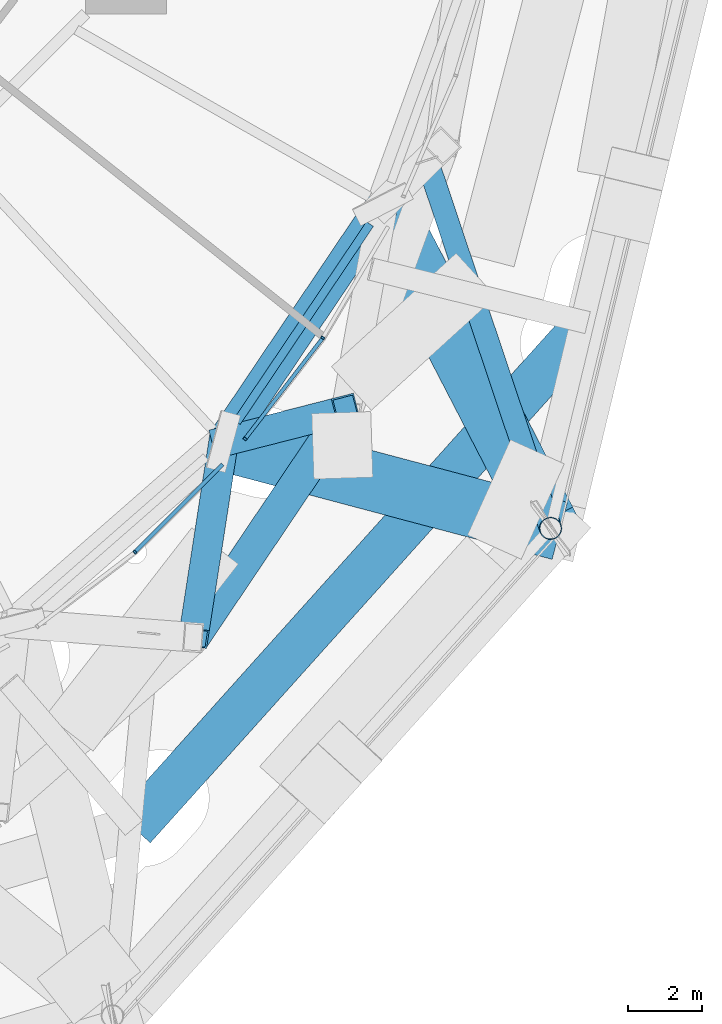
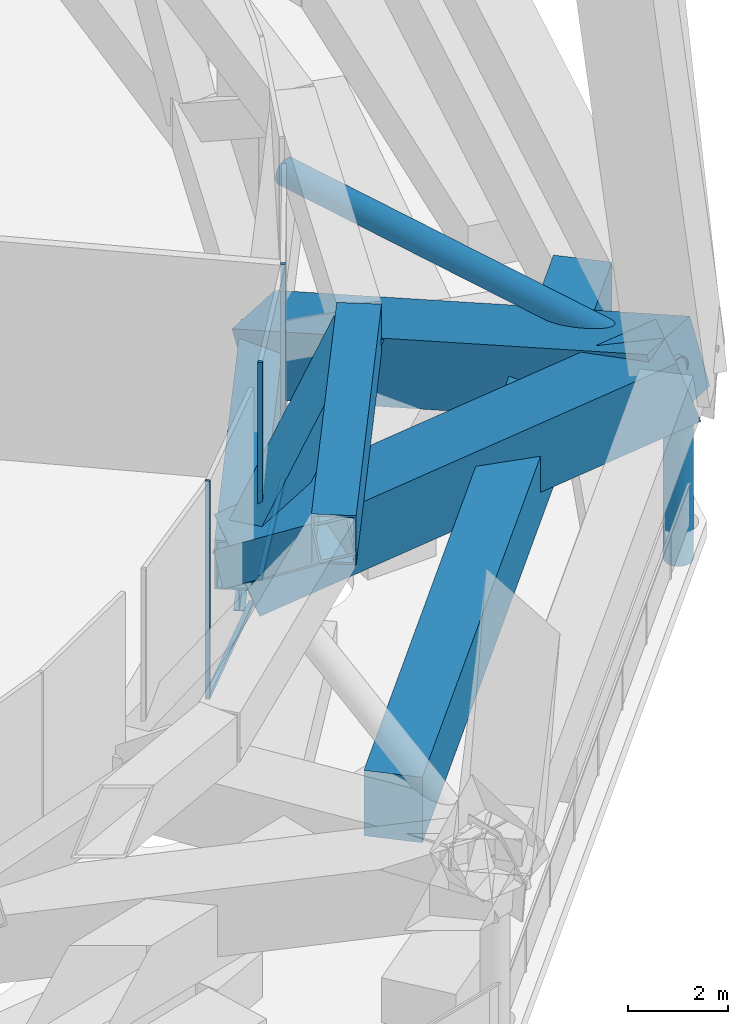
# One storey, part 10 of 65: 10 members, 5 beams, 3 elements without a shape of their own.
"""IFC4 building model written with IfcOpenShell, lengths in metres."""

from ifc_helpers import new_model, si_unit, direction, frame, origin, origin_2d, place, context, subcontext, project, spatial, rectangle, hollow_rectangle, hollow_circle, i_section, extrude, material, layer, layer_set, material_profile, profile_set, type_object, element, aggregate, save


model = new_model("IFC4")

# Units and contexts
model_context = context("Model", 3, precision=1e-05, world=origin(), true_north=direction((0.0, 1.0)))
body_context = subcontext(model_context, "Body", "Model", "MODEL_VIEW")
ifc_project = project(units=[si_unit("LENGTHUNIT", "METRE"), si_unit("AREAUNIT", "SQUARE_METRE"), si_unit("VOLUMEUNIT", "CUBIC_METRE"), si_unit("PLANEANGLEUNIT", "RADIAN"), si_unit("MASSUNIT", "GRAM", prefix="KILO")], contexts=[model_context])

# Site, building, storey
site_placement = place(None, origin())
site = spatial("IfcSite", under=ifc_project, at=site_placement, CompositionType="ELEMENT")
building_placement = place(site_placement, origin())
building = spatial("IfcBuilding", under=site, at=building_placement, Name="Nagisa Residences", CompositionType="ELEMENT")
storey_placement = place(building_placement, frame((0.0, 0.0, 114.0)))
storey = spatial("IfcBuildingStorey", under=building, at=storey_placement, Name="L28", CompositionType="ELEMENT", Elevation=114.0)

# Beams
ifc_material_1 = material(Name="Steel ASTM A572 Gr 50", Category="steel")
ifc_material_profile_1 = material_profile(ifc_material_1, hollow_rectangle(XDim=0.89990234375, YDim=1.199951171875, WallThickness=0.050048828125, at=origin_2d()), Name="BX 900x1200x50")
ifc_profile_set_1 = profile_set([ifc_material_profile_1], Name="Steel ASTM A572 Gr 50")
beam_type_1 = type_object("IfcBeamType", Name="Belt chord 2 BX 900x1200x50", PredefinedType="BEAM", material=ifc_profile_set_1)
beam_1_placement = place(storey_placement, frame((17.4296875, -18.813232421875, 0.60009765625), z_axis=(0.558231952624, 0.829684932411, 0.0), x_axis=(-0.829684932411, 0.558231952624, 0.0)))
element("IfcBeam", 1, at=beam_1_placement, inside=storey, type_object=beam_type_1, Name="beam:L28:bt2b22", PredefinedType="BEAM", context=body_context, shape_type="SweptSolid", body=[
    extrude(hollow_rectangle(XDim=0.89990234375, YDim=1.199951171875, WallThickness=0.050048828125, at=origin_2d()), origin(), (0.0, 0.0, 1.0), 7.741943359375),
])
beam_2_placement = place(storey_placement, frame((16.609619140625, -24.115234375, 4.739990234375), z_axis=(0.558184113249, 0.829717117888, 0.0), x_axis=(-0.829717117888, 0.558184113249, 0.0)))
element("IfcBeam", 2, at=beam_2_placement, inside=storey, type_object=beam_type_1, Name="beam:L28:bt2t22", PredefinedType="BEAM", context=body_context, shape_type="SweptSolid", body=[
    extrude(hollow_rectangle(XDim=0.89990234375, YDim=1.199951171875, WallThickness=0.050048828125, at=origin_2d()), origin(), (0.0, 0.0, 1.0), 7.412353515625),
])
ifc_material_2 = material(Name="Steel ASTM A572 Gr 50", Category="steel")
ifc_material_profile_2 = material_profile(ifc_material_2, hollow_rectangle(XDim=0.800048828125, YDim=0.800048828125, WallThickness=0.044921875, at=origin_2d()), Name="BX 800x800x45")
ifc_profile_set_2 = profile_set([ifc_material_profile_2], Name="Steel ASTM A572 Gr 50")
beam_type_2 = type_object("IfcBeamType", Name="Belt diagonal 2 BX 800x800x45", PredefinedType="BEAM", material=ifc_profile_set_2)
beam_3_placement = place(storey_placement, frame((17.4296875, -18.813232421875, 0.60009765625), z_axis=(-0.121014536923, -0.782397349914, 0.610909051088), x_axis=(0.988248800279, -0.152853880377, 0.0)))
element("IfcBeam", 3, at=beam_3_placement, inside=storey, type_object=beam_type_2, Name="beam:L28:bt2da22", PredefinedType="BEAM", context=body_context, shape_type="SweptSolid", body=[
    extrude(hollow_rectangle(XDim=0.800048828125, YDim=0.800048828125, WallThickness=0.044921875, at=origin_2d()), origin(), (0.0, 0.0, 1.0), 6.776611328125),
])
beam_4_placement = place(storey_placement, frame((17.4296875, -18.813232421875, 0.60009765625), z_axis=(0.617481840917, 0.157869584585, 0.770579892289), x_axis=(-0.247699404566, 0.968836934152, 0.0)))
element("IfcBeam", 4, at=beam_4_placement, inside=storey, type_object=beam_type_2, Name="beam:L28:bt2db22", PredefinedType="BEAM", context=body_context, shape_type="SweptSolid", body=[
    extrude(hollow_rectangle(XDim=0.800048828125, YDim=0.800048828125, WallThickness=0.044921875, at=origin_2d()), origin(), (0.0, 0.0, 1.0), 5.37255859375),
])

# Curtain wall, member
ifc_material_3 = material(Name="Aluminium curtain wall system", Category="aluminium")
ifc_layer = layer(ifc_material_3, 0.159912109375)
ifc_layer_set = layer_set([ifc_layer], Name="CW5 CURTAIN WALL")
curtain_wall_type = type_object("IfcCurtainWallType", Name="CW5 CURTAIN WALL", PredefinedType="NOTDEFINED", material=ifc_layer_set)
curtain_wall_1_placement = place(storey_placement, origin())
curtain_wall_1 = element("IfcCurtainWall", 5, at=curtain_wall_1_placement, inside=storey, type_object=curtain_wall_type, Name="cw:CW5:L28:41", PredefinedType="NOTDEFINED")
ifc_material_4 = material(Name="Aluminium", Category="aluminium")
ifc_material_profile_3 = material_profile(ifc_material_4, rectangle(XDim=0.10009765625, YDim=0.06005859375, at=origin_2d()), Name="CW5 MULLION 100x60")
ifc_profile_set_3 = profile_set([ifc_material_profile_3], Name="Aluminium")
member_type_1 = type_object("IfcMemberType", Name="CW5 MULLION 100x60", PredefinedType="MULLION", material=ifc_profile_set_3)
member_1_placement = place(storey_placement, frame((15.0244140625, -21.80712890625, 0.0), z_axis=(0.0, 0.0, 1.0), x_axis=(-0.706376885714, 0.707835924016, 0.0)))
member_1 = element("IfcMember", 6, at=member_1_placement, type_object=member_type_1, Name="CW5 mullion", PredefinedType="MULLION", context=body_context, shape_type="SweptSolid", body=[
    extrude(rectangle(XDim=0.10009765625, YDim=0.06005859375, at=origin_2d()), origin(), (0.0, 0.0, 1.0), 5.340087890625),
])

curtain_wall_2_placement = place(storey_placement, origin())
curtain_wall_2 = element("IfcCurtainWall", 7, at=curtain_wall_2_placement, inside=storey, type_object=curtain_wall_type, Name="cw:CW5:L28:42", PredefinedType="NOTDEFINED")
member_2_placement = place(storey_placement, frame((18.012939453125, -18.73779296875, 0.0), z_axis=(0.0, 0.0, 1.0), x_axis=(-0.792070340816, 0.610429828235, 0.0)))
member_2 = element("IfcMember", 8, at=member_2_placement, type_object=member_type_1, Name="CW5 mullion", PredefinedType="MULLION", context=body_context, shape_type="SweptSolid", body=[
    extrude(rectangle(XDim=0.10009765625, YDim=0.06005859375, at=origin_2d()), origin(), (0.0, 0.0, 1.0), 5.340087890625),
])

curtain_wall_3_placement = place(storey_placement, origin())
curtain_wall_3 = element("IfcCurtainWall", 9, at=curtain_wall_3_placement, inside=storey, type_object=curtain_wall_type, Name="cw:CW5:L28:43", PredefinedType="NOTDEFINED")
member_3_placement = place(storey_placement, frame((20.1181640625, -16.0009765625, 0.0), z_axis=(0.0, 0.0, 1.0), x_axis=(-0.862328898214, 0.506348567002, 0.0)))
member_3 = element("IfcMember", 10, at=member_3_placement, type_object=member_type_1, Name="CW5 mullion", PredefinedType="MULLION", context=body_context, shape_type="SweptSolid", body=[
    extrude(rectangle(XDim=0.10009765625, YDim=0.06005859375, at=origin_2d()), origin(), (0.0, 0.0, 1.0), 5.340087890625),
])
aggregate(curtain_wall_3, [member_3])

# Member
ifc_material_5 = material(Name="Aluminium", Category="aluminium")
ifc_material_profile_4 = material_profile(ifc_material_5, rectangle(XDim=0.10009765625, YDim=0.1201171875, at=origin_2d()), Name="CW5 TRANSOM 100x120")
ifc_profile_set_4 = profile_set([ifc_material_profile_4], Name="Aluminium")
member_type_2 = type_object("IfcMemberType", Name="CW5 TRANSOM 100x120", PredefinedType="USERDEFINED", material=ifc_profile_set_4)
member_4_placement = place(storey_placement, frame((15.003173828125, -21.828125, 0.06005859375), z_axis=(0.707824947176, 0.706387885057, 0.0), x_axis=(-0.706387885057, 0.707824947176, 0.0)))
member_4 = element("IfcMember", 11, at=member_4_placement, type_object=member_type_2, Name="CW5 transom", ObjectType="TRANSOM", PredefinedType="USERDEFINED", context=body_context, shape_type="SweptSolid", body=[
    extrude(rectangle(XDim=0.10009765625, YDim=0.1201171875, at=origin_2d()), origin(), (0.0, 0.0, 1.0), 3.397705078125),
])

aggregate(curtain_wall_1, [member_1, member_4])

member_5_placement = place(storey_placement, frame((17.99462890625, -18.761474609375, 0.06005859375), z_axis=(0.610449816604, 0.792054935852, 0.0), x_axis=(-0.792054935852, 0.610449816604, 0.0)))
member_5 = element("IfcMember", 12, at=member_5_placement, type_object=member_type_2, Name="CW5 transom", ObjectType="TRANSOM", PredefinedType="USERDEFINED", context=body_context, shape_type="SweptSolid", body=[
    extrude(rectangle(XDim=0.10009765625, YDim=0.1201171875, at=origin_2d()), origin(), (0.0, 0.0, 1.0), 3.463134765625),
])

aggregate(curtain_wall_2, [member_2, member_5])

# Members
ifc_material_6 = material(Name="Concrete C80", Category="concrete")
ifc_material_profile_5 = material_profile(ifc_material_6, rectangle(XDim=1.60009765625, YDim=1.60009765625, at=origin_2d()), Name="C80 1600x1600")
ifc_profile_set_5 = profile_set([ifc_material_profile_5], Name="Concrete C80")
member_type_3 = type_object("IfcMemberType", Name="Cage bracket 3 C80 1600x1600", PredefinedType="BRACE", material=ifc_profile_set_5)
member_6_placement = place(storey_placement, frame((26.28955078125, -21.165283203125, 3.699951171875), z_axis=(-0.915587806233, 0.243063458949, -0.320342198284), x_axis=(-0.256585002954, -0.966521668799, 0.0)))
element("IfcMember", 13, at=member_6_placement, inside=storey, type_object=member_type_3, Name="mem:L28:cg2ob09", PredefinedType="BRACE", context=body_context, shape_type="SweptSolid", body=[
    extrude(rectangle(XDim=1.60009765625, YDim=1.60009765625, at=origin_2d()), origin(), (0.0, 0.0, 1.0), 9.6767578125),
])
member_7_placement = place(storey_placement, frame((26.28955078125, -21.165283203125, 3.699951171875), z_axis=(-0.438281818309, 0.847514615737, -0.299379397841), x_axis=(-0.888255195309, -0.459350310772, 0.0)))
element("IfcMember", 14, at=member_7_placement, inside=storey, type_object=member_type_3, Name="mem:L28:cg2ob10", PredefinedType="BRACE", context=body_context, shape_type="SweptSolid", body=[
    extrude(rectangle(XDim=1.60009765625, YDim=1.60009765625, at=origin_2d()), origin(), (0.0, 0.0, 1.0), 10.354248046875),
])
ifc_material_7 = material(Name="Concrete C80", Category="concrete")
ifc_material_profile_6 = material_profile(ifc_material_7, rectangle(XDim=1.199951171875, YDim=1.60009765625, at=origin_2d()), Name="C80 1200x1600")
ifc_profile_set_6 = profile_set([ifc_material_profile_6], Name="Concrete C80")
member_type_4 = type_object("IfcMemberType", Name="Cage ring 2 C80 1200x1600", PredefinedType="CHORD", material=ifc_profile_set_6)
member_8_placement = place(storey_placement, frame((14.99755859375, -29.28466796875, 1.89990234375), z_axis=(0.668102443775, 0.744069300954, 0.0), x_axis=(-0.744069300954, 0.668102443775, 0.0)))
element("IfcMember", 15, at=member_8_placement, inside=storey, type_object=member_type_4, Name="beam:L28:cg2r111", PredefinedType="CHORD", context=body_context, shape_type="SweptSolid", body=[
    extrude(rectangle(XDim=1.199951171875, YDim=1.60009765625, at=origin_2d()), origin(), (0.0, 0.0, 1.0), 18.4052734375),
])
ifc_material_8 = material(Name="Steel ASTM A572 Gr 65", Category="steel")
ifc_material_profile_7 = material_profile(ifc_material_8, hollow_circle(Radius=0.304931640625, WallThickness=0.02490234375, at=origin_2d()), Name="CHS 610x25")
ifc_profile_set_7 = profile_set([ifc_material_profile_7], Name="Steel ASTM A572 Gr 65")
member_type_5 = type_object("IfcMemberType", Name="Cage strut CHS 610x25", PredefinedType="STRUT", material=ifc_profile_set_7)
member_9_placement = place(storey_placement, frame((26.28955078125, -21.165283203125, 3.699951171875), z_axis=(-0.318081008611, 0.948063537935, 0.0), x_axis=(-0.948063537935, -0.318081008611, 0.0)))
element("IfcMember", 16, at=member_9_placement, inside=storey, type_object=member_type_5, Name="mem:L28:bt2st3b12", PredefinedType="STRUT", context=body_context, shape_type="SweptSolid", body=[
    extrude(hollow_circle(Radius=0.304931640625, WallThickness=0.02490234375, at=origin_2d()), origin(), (0.0, 0.0, 1.0), 10.50927734375),
])
ifc_material_9 = material(Name="Steel ASTM A572 Gr 65", Category="steel")
ifc_material_profile_8 = material_profile(ifc_material_9, hollow_circle(Radius=0.304931640625, WallThickness=0.02490234375, at=origin_2d()), Name="CHS 610x25")
ifc_profile_set_8 = profile_set([ifc_material_profile_8], Name="Steel ASTM A572 Gr 65")
member_type_6 = type_object("IfcMemberType", Name="Deck hanger CHS 610x25", PredefinedType="POST", material=ifc_profile_set_8)
member_10_placement = place(storey_placement, frame((26.28955078125, -21.165283203125, 2.949951171875), z_axis=(0.0, 0.0, -1.0), x_axis=(1.0, 0.0, 0.0)))
element("IfcMember", 17, at=member_10_placement, inside=storey, type_object=member_type_6, Name="mem:L28:deckhanger09", PredefinedType="POST", context=body_context, shape_type="SweptSolid", body=[
    extrude(hollow_circle(Radius=0.304931640625, WallThickness=0.02490234375, at=origin_2d()), origin(), (0.0, 0.0, 1.0), 3.83984375),
])

# Beam
ifc_material_10 = material(Name="Steel ASTM A572 Gr 50", Category="steel")
ifc_material_profile_9 = material_profile(ifc_material_10, i_section(OverallWidth=0.22900390625, OverallDepth=0.612060546875, WebThickness=0.011962890625, FlangeThickness=0.01953125, at=origin_2d()), Name="W610x125")
ifc_profile_set_9 = profile_set([ifc_material_profile_9], Name="Steel ASTM A572 Gr 50")
beam_type_3 = type_object("IfcBeamType", Name="Perimeter ring beam W610x125", PredefinedType="BEAM", material=ifc_profile_set_9)
beam_5_placement = place(storey_placement, frame((17.784423828125, -18.2861328125, -0.656005859375), z_axis=(0.558229575935, 0.829686531499, 0.0), x_axis=(-0.829686531499, 0.558229575935, 0.0)))
element("IfcBeam", 18, at=beam_5_placement, inside=storey, type_object=beam_type_3, Name="beam:L28:pb22", PredefinedType="BEAM", context=body_context, shape_type="SweptSolid", body=[
    extrude(i_section(OverallWidth=0.22900390625, OverallDepth=0.612060546875, WebThickness=0.011962890625, FlangeThickness=0.01953125, at=origin_2d()), origin(), (0.0, 0.0, 1.0), 6.471923828125),
])

save(model, "model.ifc")
